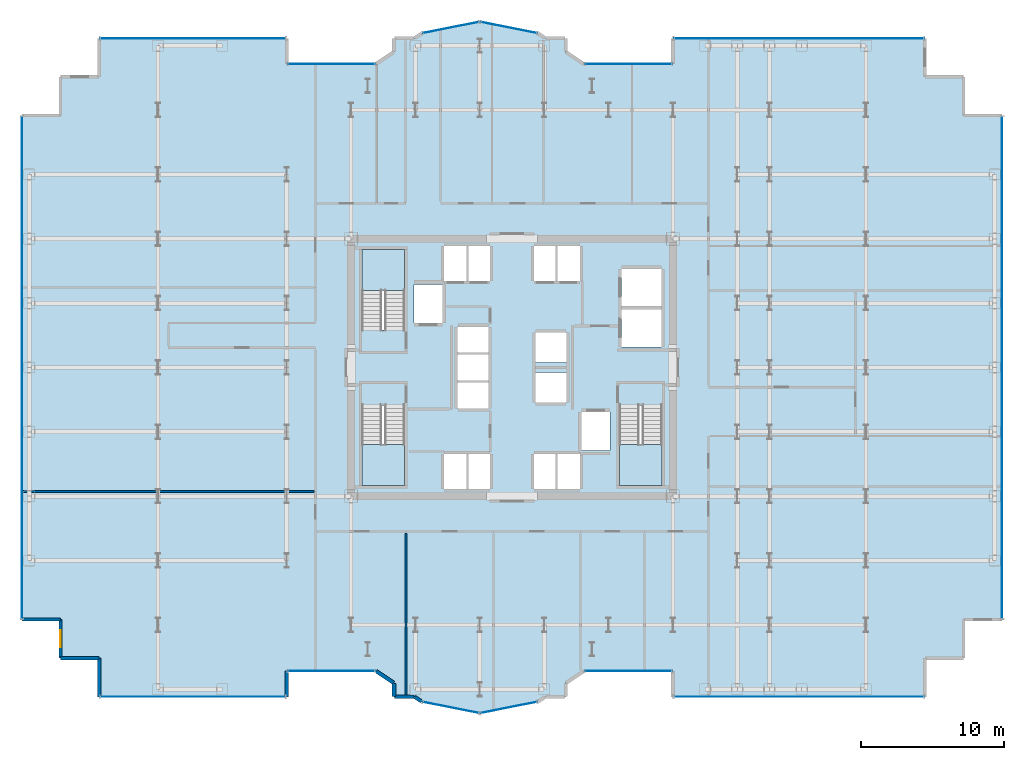
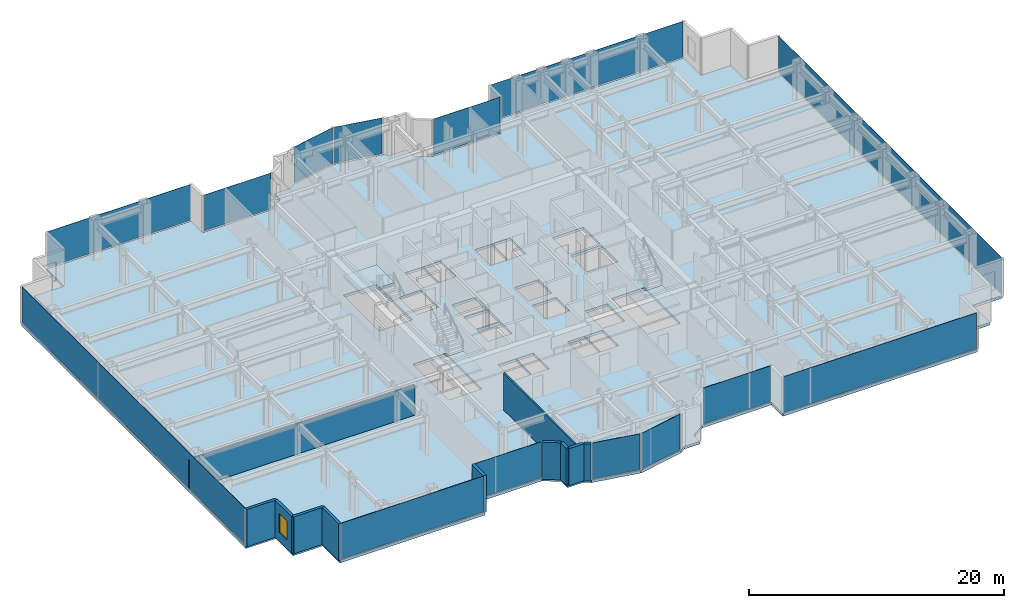
# One storey, part 19 of 26: 14 plates, 11 walls, 4 slabs, 1 window, 1 opening, 17 elements without a shape of their own.
"""IFC4 building model written with IfcOpenShell, lengths in metres."""

from ifc_helpers import new_model, si_unit, direction, frame, frame_2d, origin, origin_2d, place, context, subcontext, project, spatial, polyline, rectangle, outline, extrude, source, transform, mapped, material, layer, layer_set, type_object, element, fill, aggregate, save


model = new_model("IFC4")

# Units and contexts
model_context = context("Model", 3, precision=1e-05, world=origin(), true_north=direction((0.0, 1.0)))
body_context = subcontext(model_context, "Body", "Model", "MODEL_VIEW")
ifc_project = project(units=[si_unit("LENGTHUNIT", "METRE"), si_unit("AREAUNIT", "SQUARE_METRE"), si_unit("VOLUMEUNIT", "CUBIC_METRE"), si_unit("PLANEANGLEUNIT", "RADIAN"), si_unit("MASSUNIT", "GRAM", prefix="KILO")], contexts=[model_context])

# Site, building, storey
site_placement = place(None, origin())
site = spatial("IfcSite", under=ifc_project, at=site_placement, CompositionType="ELEMENT")
building_placement = place(site_placement, origin())
building = spatial("IfcBuilding", under=site, at=building_placement, Name="Nefas-Gora Pilgrimage Tower", CompositionType="ELEMENT")
storey_placement = place(building_placement, frame((0.0, 0.0, 128.800048828125)))
storey = spatial("IfcBuildingStorey", under=building, at=storey_placement, Name="L31", CompositionType="ELEMENT", Elevation=128.800048828125)

# Slab
ifc_material_1 = material(Name="Concrete C40/50", Category="concrete")
ifc_layer_1 = layer(ifc_material_1, 0.25)
ifc_layer_set_1 = layer_set([ifc_layer_1], Name="Concrete C40/50")
slab_type_1 = type_object("IfcSlabType", Name="SLB-TWR-250", PredefinedType="FLOOR", material=ifc_layer_set_1)
slab_1_placement = place(storey_placement, frame((0.0, 0.0, -0.25)))
element("IfcSlab", 1, at=slab_1_placement, inside=storey, type_object=slab_type_1, Name="L31 Structural Floor Slab", PredefinedType="FLOOR", context=body_context, shape_type="SweptSolid", body=[
    extrude(outline(polyline([(5.01806640625, -21.219970703125), (11.25, -21.219970703125), (11.25, -23.02001953125), (28.8701171875, -23.02001953125), (28.8701171875, -20.320068359375), (31.570068359375, -20.320068359375), (31.570068359375, -17.6201171875), (34.27001953125, -17.6201171875), (34.27001953125, 17.6201171875), (31.570068359375, 17.6201171875), (31.570068359375, 20.320068359375), (28.8701171875, 20.320068359375), (28.8701171875, 23.02001953125), (11.25, 23.02001953125), (11.25, 21.219970703125), (5.01806640625, 21.219970703125), (3.75, 22.0673828125), (3.75, 23.02001953125), (2.32421875, 23.02001953125), (1.807373046875, 23.365234375), (-2.25, 24.17236328125), (-6.307373046875, 23.365234375), (-6.82421875, 23.02001953125), (-8.25, 23.02001953125), (-8.25, 22.0673828125), (-9.51806640625, 21.219970703125), (-15.75, 21.219970703125), (-15.75, 23.02001953125), (-28.8701171875, 23.02001953125), (-28.8701171875, 20.320068359375), (-31.570068359375, 20.320068359375), (-31.570068359375, 17.6201171875), (-34.27001953125, 17.6201171875), (-34.27001953125, -17.6201171875), (-31.570068359375, -17.6201171875), (-31.570068359375, -20.320068359375), (-28.8701171875, -20.320068359375), (-28.8701171875, -23.02001953125), (-15.75, -23.02001953125), (-15.75, -21.219970703125), (-9.51806640625, -21.219970703125), (-8.25, -22.0673828125), (-8.25, -23.02001953125), (-6.82421875, -23.02001953125), (-6.307373046875, -23.365234375), (-2.25, -24.17236328125), (1.807373046875, -23.365234375), (2.32421875, -23.02001953125), (3.75, -23.02001953125), (3.75, -22.0673828125), (5.01806640625, -21.219970703125)]), holes=[polyline([(-10.5, 2.639892578125), (-10.5, 8.25), (-7.5, 8.25), (-7.5, 2.639892578125), (-10.5, 2.639892578125)]), polyline([(10.5, -2.639892578125), (10.5, -8.25), (7.5, -8.25), (7.5, -2.639892578125), (10.5, -2.639892578125)]), polyline([(-7.5, -2.639892578125), (-7.5, -8.25), (-10.5, -8.25), (-10.5, -2.639892578125), (-7.5, -2.639892578125)]), polyline([(-6.85009765625, 5.800048828125), (-4.85009765625, 5.800048828125), (-4.85009765625, 3.10009765625), (-6.85009765625, 3.10009765625), (-6.85009765625, 5.800048828125)]), polyline([(4.85009765625, -3.10009765625), (6.85009765625, -3.10009765625), (6.85009765625, -5.800048828125), (4.85009765625, -5.800048828125), (4.85009765625, -3.10009765625)]), polyline([(7.64990234375, 4.050048828125), (10.449951171875, 4.050048828125), (10.449951171875, 1.449951171875), (7.64990234375, 1.449951171875), (7.64990234375, 4.050048828125)]), polyline([(7.64990234375, 6.89990234375), (10.449951171875, 6.89990234375), (10.449951171875, 4.300048828125), (7.64990234375, 4.300048828125), (7.64990234375, 6.89990234375)]), polyline([(-4.75, 8.5), (-3.14990234375, 8.5), (-3.14990234375, 6.050048828125), (-4.75, 6.050048828125), (-4.75, 8.5)]), polyline([(-3.10009765625, 8.5), (-1.550048828125, 8.5), (-1.550048828125, 6.050048828125), (-3.10009765625, 6.050048828125), (-3.10009765625, 8.5)]), polyline([(1.550048828125, 8.5), (3.10009765625, 8.5), (3.10009765625, 6.050048828125), (1.550048828125, 6.050048828125), (1.550048828125, 8.5)]), polyline([(3.14990234375, 8.5), (4.75, 8.5), (4.75, 6.050048828125), (3.14990234375, 6.050048828125), (3.14990234375, 8.5)]), polyline([(-4.75, -6.050048828125), (-3.14990234375, -6.050048828125), (-3.14990234375, -8.5), (-4.75, -8.5), (-4.75, -6.050048828125)]), polyline([(-3.10009765625, -6.050048828125), (-1.550048828125, -6.050048828125), (-1.550048828125, -8.5), (-3.10009765625, -8.5), (-3.10009765625, -6.050048828125)]), polyline([(1.550048828125, -6.050048828125), (3.10009765625, -6.050048828125), (3.10009765625, -8.5), (1.550048828125, -8.5), (1.550048828125, -6.050048828125)]), polyline([(3.14990234375, -6.050048828125), (4.75, -6.050048828125), (4.75, -8.5), (3.14990234375, -8.5), (3.14990234375, -6.050048828125)]), polyline([(-3.800048828125, -1.050048828125), (-1.64990234375, -1.050048828125), (-1.64990234375, -2.85009765625), (-3.800048828125, -2.85009765625), (-3.800048828125, -1.050048828125)]), polyline([(-3.800048828125, 0.89990234375), (-1.64990234375, 0.89990234375), (-1.64990234375, -0.89990234375), (-3.800048828125, -0.89990234375), (-3.800048828125, 0.89990234375)]), polyline([(-3.800048828125, 2.85009765625), (-1.64990234375, 2.85009765625), (-1.64990234375, 1.050048828125), (-3.800048828125, 1.050048828125), (-3.800048828125, 2.85009765625)]), polyline([(1.64990234375, -0.35009765625), (3.800048828125, -0.35009765625), (3.800048828125, -2.449951171875), (1.64990234375, -2.449951171875), (1.64990234375, -0.35009765625)]), polyline([(1.64990234375, 2.449951171875), (3.800048828125, 2.449951171875), (3.800048828125, 0.35009765625), (1.64990234375, 0.35009765625), (1.64990234375, 2.449951171875)])]), origin(), (0.0, 0.0, 1.0), 0.25),
])

# Stair, slab
ifc_material_2 = material(Name="Concrete C45/55", Category="concrete")
stair_type = type_object("IfcStairType", Name="STR-1400-R1727", PredefinedType="HALF_TURN_STAIR", material=ifc_material_2)
stair_1_placement = place(storey_placement, origin())
stair_1 = element("IfcStair", 2, at=stair_1_placement, inside=storey, type_object=stair_type, Name="L31 Pressurised Tower Exit Stair ST-01", PredefinedType="HALF_TURN_STAIR")
ifc_layer_2 = layer(ifc_material_1, 0.199951171875)
ifc_layer_set_2 = layer_set([ifc_layer_2], Name="Concrete C40/50")
slab_type_2 = type_object("IfcSlabType", Name="STR-LAND-200", PredefinedType="LANDING", material=ifc_layer_set_2)
slab_2_placement = place(storey_placement, frame((0.0, 0.0, 1.699951171875)))
slab_2 = element("IfcSlab", 3, at=slab_2_placement, type_object=slab_type_2, Name="ST-01 landing 1", PredefinedType="LANDING", context=body_context, shape_type="SweptSolid", body=[
    extrude(outline(polyline([(-7.5, 5.39990234375), (-7.5, 8.25), (-10.5, 8.25), (-10.5, 5.39990234375), (-7.5, 5.39990234375)])), origin(), (0.0, 0.0, 1.0), 0.199951171875),
])
aggregate(stair_1, [slab_2])

stair_2_placement = place(storey_placement, origin())
stair_2 = element("IfcStair", 4, at=stair_2_placement, inside=storey, type_object=stair_type, Name="L31 Pressurised Tower Exit Stair ST-02", PredefinedType="HALF_TURN_STAIR")
slab_3_placement = place(storey_placement, frame((0.0, 0.0, 1.699951171875)))
slab_3 = element("IfcSlab", 5, at=slab_3_placement, type_object=slab_type_2, Name="ST-02 landing 1", PredefinedType="LANDING", context=body_context, shape_type="SweptSolid", body=[
    extrude(outline(polyline([(7.5, -5.39990234375), (7.5, -8.25), (10.5, -8.25), (10.5, -5.39990234375), (7.5, -5.39990234375)])), origin(), (0.0, 0.0, 1.0), 0.199951171875),
])
aggregate(stair_2, [slab_3])

stair_3_placement = place(storey_placement, origin())
stair_3 = element("IfcStair", 6, at=stair_3_placement, inside=storey, type_object=stair_type, Name="L31 Pressurised Tower Exit Stair ST-03", PredefinedType="HALF_TURN_STAIR")
slab_4_placement = place(storey_placement, frame((0.0, 0.0, 1.699951171875)))
slab_4 = element("IfcSlab", 7, at=slab_4_placement, type_object=slab_type_2, Name="ST-03 landing 1", PredefinedType="LANDING", context=body_context, shape_type="SweptSolid", body=[
    extrude(outline(polyline([(-10.5, -5.39990234375), (-10.5, -8.25), (-7.5, -8.25), (-7.5, -5.39990234375), (-10.5, -5.39990234375)])), origin(), (0.0, 0.0, 1.0), 0.199951171875),
])
aggregate(stair_3, [slab_4])

# Curtain wall, plate
ifc_material_3 = material(Name="Dark ceramic-fritted solar-control aluminium-glass curtain wall", Category="aluminium")
ifc_layer_3 = layer(ifc_material_3, 0.219970703125)
ifc_layer_set_3 = layer_set([ifc_layer_3], Name="Dark ceramic-fritted solar-control aluminium-glass curtain wall")
curtain_wall_type_1 = type_object("IfcCurtainWallType", Name="CW-SYS-5", PredefinedType="NOTDEFINED", material=ifc_layer_set_3)
curtain_wall_1_placement = place(storey_placement, origin())
curtain_wall_1 = element("IfcCurtainWall", 8, at=curtain_wall_1_placement, inside=storey, type_object=curtain_wall_type_1, Name="L31 Unitised Curtain Wall CW5", PredefinedType="NOTDEFINED")
ifc_material_4 = material(Name="Dark ceramic-printed low-e insulated glass", Category="glass")
ifc_layer_4 = layer(ifc_material_4, 0.028076171875)
ifc_layer_set_4 = layer_set([ifc_layer_4], Name="Dark ceramic-printed low-e insulated glass")
plate_type_1 = type_object("IfcPlateType", Name="CWP-PNL-5", PredefinedType="CURTAIN_PANEL", material=ifc_layer_set_4)
shared_shape_1 = source(origin(), body_context, "Body", "SweptSolid", [
    extrude(rectangle(XDim=6.052001953125, YDim=0.028076171875, at=origin_2d()), origin(), (0.0, 0.0, 1.0), 3.43994140625),
])
plate_1_placement = place(storey_placement, frame((8.134033203125, -21.219970703125, 0.10009765625), z_axis=(0.0, 0.0, 1.0), x_axis=(1.0, 0.0, 0.0)))
plate_1 = element("IfcPlate", 9, at=plate_1_placement, type_object=plate_type_1, Name="CW5 Ceramic-Fritted Glazing Panel 1", PredefinedType="CURTAIN_PANEL", context=body_context, shape_type="MappedRepresentation", body=[
    mapped(shared_shape_1, transform((0.0, 0.0, 0.0), x_axis=(1.0, 0.0, 0.0), y_axis=(0.0, 1.0, 0.0), z_axis=(0.0, 0.0, 1.0), scale=1.0)),
])
aggregate(curtain_wall_1, [plate_1])

curtain_wall_2_placement = place(storey_placement, origin())
curtain_wall_2 = element("IfcCurtainWall", 10, at=curtain_wall_2_placement, inside=storey, type_object=curtain_wall_type_1, Name="L31 Unitised Curtain Wall CW5", PredefinedType="NOTDEFINED")
plate_2_placement = place(storey_placement, frame((8.134033203125, 21.219970703125, 0.10009765625), z_axis=(0.0, 0.0, 1.0), x_axis=(-1.0, 0.0, 0.0)))
plate_2 = element("IfcPlate", 11, at=plate_2_placement, type_object=plate_type_1, Name="CW5 Ceramic-Fritted Glazing Panel 1", PredefinedType="CURTAIN_PANEL", context=body_context, shape_type="MappedRepresentation", body=[
    mapped(shared_shape_1, transform((0.0, 0.0, 0.0), x_axis=(1.0, 0.0, 0.0), y_axis=(0.0, 1.0, 0.0), z_axis=(0.0, 0.0, 1.0), scale=1.0)),
])
aggregate(curtain_wall_2, [plate_2])

curtain_wall_3_placement = place(storey_placement, origin())
curtain_wall_3 = element("IfcCurtainWall", 12, at=curtain_wall_3_placement, inside=storey, type_object=curtain_wall_type_1, Name="L31 Unitised Curtain Wall CW5", PredefinedType="NOTDEFINED")
plate_3_placement = place(storey_placement, frame((-12.634033203125, 21.219970703125, 0.10009765625), z_axis=(0.0, 0.0, 1.0), x_axis=(-1.0, 0.0, 0.0)))
plate_3 = element("IfcPlate", 13, at=plate_3_placement, type_object=plate_type_1, Name="CW5 Ceramic-Fritted Glazing Panel 1", PredefinedType="CURTAIN_PANEL", context=body_context, shape_type="MappedRepresentation", body=[
    mapped(shared_shape_1, transform((0.0, 0.0, 0.0), x_axis=(1.0, 0.0, 0.0), y_axis=(0.0, 1.0, 0.0), z_axis=(0.0, 0.0, 1.0), scale=1.0)),
])
aggregate(curtain_wall_3, [plate_3])

curtain_wall_4_placement = place(storey_placement, origin())
curtain_wall_4 = element("IfcCurtainWall", 14, at=curtain_wall_4_placement, inside=storey, type_object=curtain_wall_type_1, Name="L31 Unitised Curtain Wall CW5", PredefinedType="NOTDEFINED")
plate_4_placement = place(storey_placement, frame((-12.634033203125, -21.219970703125, 0.10009765625), z_axis=(0.0, 0.0, 1.0), x_axis=(1.0, 0.0, 0.0)))
plate_4 = element("IfcPlate", 15, at=plate_4_placement, type_object=plate_type_1, Name="CW5 Ceramic-Fritted Glazing Panel 1", PredefinedType="CURTAIN_PANEL", context=body_context, shape_type="MappedRepresentation", body=[
    mapped(shared_shape_1, transform((0.0, 0.0, 0.0), x_axis=(1.0, 0.0, 0.0), y_axis=(0.0, 1.0, 0.0), z_axis=(0.0, 0.0, 1.0), scale=1.0)),
])
aggregate(curtain_wall_4, [plate_4])

ifc_layer_5 = layer(ifc_material_3, 0.219970703125)
ifc_layer_set_5 = layer_set([ifc_layer_5], Name="Dark ceramic-fritted solar-control aluminium-glass curtain wall")
curtain_wall_type_2 = type_object("IfcCurtainWallType", Name="CW-SYS-2", PredefinedType="NOTDEFINED", material=ifc_layer_set_5)
curtain_wall_5_placement = place(storey_placement, origin())
curtain_wall_5 = element("IfcCurtainWall", 16, at=curtain_wall_5_placement, inside=storey, type_object=curtain_wall_type_2, Name="L31 Unitised Curtain Wall CW2", PredefinedType="NOTDEFINED")
ifc_layer_6 = layer(ifc_material_4, 0.031982421875)
ifc_layer_set_6 = layer_set([ifc_layer_6], Name="Dark ceramic-printed low-e insulated glass")
plate_type_2 = type_object("IfcPlateType", Name="CWP-PNL-2", PredefinedType="CURTAIN_PANEL", material=ifc_layer_set_6)
shared_shape_2 = source(origin(), body_context, "Body", "SweptSolid", [
    extrude(rectangle(XDim=17.43994140625, YDim=0.031982421875, at=origin_2d()), origin(), (0.0, 0.0, 1.0), 3.43994140625),
])
plate_5_placement = place(storey_placement, frame((20.06005859375, -23.02001953125, 0.10009765625), z_axis=(0.0, 0.0, 1.0), x_axis=(1.0, 0.0, 0.0)))
plate_5 = element("IfcPlate", 17, at=plate_5_placement, type_object=plate_type_2, Name="CW2 Ceramic-Fritted Glazing Panel 1", PredefinedType="CURTAIN_PANEL", context=body_context, shape_type="MappedRepresentation", body=[
    mapped(shared_shape_2, transform((0.0, 0.0, 0.0), x_axis=(1.0, 0.0, 0.0), y_axis=(0.0, 1.0, 0.0), z_axis=(0.0, 0.0, 1.0), scale=1.0)),
])
aggregate(curtain_wall_5, [plate_5])

curtain_wall_6_placement = place(storey_placement, origin())
curtain_wall_6 = element("IfcCurtainWall", 18, at=curtain_wall_6_placement, inside=storey, type_object=curtain_wall_type_2, Name="L31 Unitised Curtain Wall CW2", PredefinedType="NOTDEFINED")
plate_6_placement = place(storey_placement, frame((20.06005859375, 23.02001953125, 0.10009765625), z_axis=(0.0, 0.0, 1.0), x_axis=(-1.0, 0.0, 0.0)))
plate_6 = element("IfcPlate", 19, at=plate_6_placement, type_object=plate_type_2, Name="CW2 Ceramic-Fritted Glazing Panel 1", PredefinedType="CURTAIN_PANEL", context=body_context, shape_type="MappedRepresentation", body=[
    mapped(shared_shape_2, transform((0.0, 0.0, 0.0), x_axis=(1.0, 0.0, 0.0), y_axis=(0.0, 1.0, 0.0), z_axis=(0.0, 0.0, 1.0), scale=1.0)),
])
aggregate(curtain_wall_6, [plate_6])

curtain_wall_7_placement = place(storey_placement, origin())
curtain_wall_7 = element("IfcCurtainWall", 20, at=curtain_wall_7_placement, inside=storey, type_object=curtain_wall_type_1, Name="L31 Unitised Curtain Wall CW5", PredefinedType="NOTDEFINED")
shared_shape_3 = source(origin(), body_context, "Body", "SweptSolid", [
    extrude(rectangle(XDim=3.956787109375, YDim=0.028076171875, at=origin_2d()), origin(), (0.0, 0.0, 1.0), 3.43994140625),
])
plate_7_placement = place(storey_placement, frame((-0.22119140625, 23.768798828125, 0.10009765625), z_axis=(0.0, 0.0, 1.0), x_axis=(-0.980782896852, 0.195102304554, 0.0)))
plate_7 = element("IfcPlate", 21, at=plate_7_placement, type_object=plate_type_1, Name="CW5 Ceramic-Fritted Glazing Panel 1", PredefinedType="CURTAIN_PANEL", context=body_context, shape_type="MappedRepresentation", body=[
    mapped(shared_shape_3, transform((0.0, 0.0, 0.0), x_axis=(1.0, 0.0, 0.0), y_axis=(0.0, 1.0, 0.0), z_axis=(0.0, 0.0, 1.0), scale=1.0)),
])
aggregate(curtain_wall_7, [plate_7])

curtain_wall_8_placement = place(storey_placement, origin())
curtain_wall_8 = element("IfcCurtainWall", 22, at=curtain_wall_8_placement, inside=storey, type_object=curtain_wall_type_1, Name="L31 Unitised Curtain Wall CW5", PredefinedType="NOTDEFINED")
plate_8_placement = place(storey_placement, frame((-4.278564453125, 23.768798828125, 0.10009765625), z_axis=(0.0, 0.0, 1.0), x_axis=(-0.980782896852, -0.195102304554, 0.0)))
plate_8 = element("IfcPlate", 23, at=plate_8_placement, type_object=plate_type_1, Name="CW5 Ceramic-Fritted Glazing Panel 1", PredefinedType="CURTAIN_PANEL", context=body_context, shape_type="MappedRepresentation", body=[
    mapped(shared_shape_3, transform((0.0, 0.0, 0.0), x_axis=(1.0, 0.0, 0.0), y_axis=(0.0, 1.0, 0.0), z_axis=(0.0, 0.0, 1.0), scale=1.0)),
])
aggregate(curtain_wall_8, [plate_8])

curtain_wall_9_placement = place(storey_placement, origin())
curtain_wall_9 = element("IfcCurtainWall", 24, at=curtain_wall_9_placement, inside=storey, type_object=curtain_wall_type_1, Name="L31 Unitised Curtain Wall CW5", PredefinedType="NOTDEFINED")
plate_9_placement = place(storey_placement, frame((-4.278564453125, -23.768798828125, 0.10009765625), z_axis=(0.0, 0.0, 1.0), x_axis=(0.980782896852, -0.195102304554, 0.0)))
plate_9 = element("IfcPlate", 25, at=plate_9_placement, type_object=plate_type_1, Name="CW5 Ceramic-Fritted Glazing Panel 1", PredefinedType="CURTAIN_PANEL", context=body_context, shape_type="MappedRepresentation", body=[
    mapped(shared_shape_3, transform((0.0, 0.0, 0.0), x_axis=(1.0, 0.0, 0.0), y_axis=(0.0, 1.0, 0.0), z_axis=(0.0, 0.0, 1.0), scale=1.0)),
])
aggregate(curtain_wall_9, [plate_9])

curtain_wall_10_placement = place(storey_placement, origin())
curtain_wall_10 = element("IfcCurtainWall", 26, at=curtain_wall_10_placement, inside=storey, type_object=curtain_wall_type_1, Name="L31 Unitised Curtain Wall CW5", PredefinedType="NOTDEFINED")
plate_10_placement = place(storey_placement, frame((-0.221435546875, -23.768798828125, 0.10009765625), z_axis=(0.0, 0.0, 1.0), x_axis=(0.980782896852, 0.195102304554, 0.0)))
plate_10 = element("IfcPlate", 27, at=plate_10_placement, type_object=plate_type_1, Name="CW5 Ceramic-Fritted Glazing Panel 1", PredefinedType="CURTAIN_PANEL", context=body_context, shape_type="MappedRepresentation", body=[
    mapped(shared_shape_3, transform((0.0, 0.0, 0.0), x_axis=(1.0, 0.0, 0.0), y_axis=(0.0, 1.0, 0.0), z_axis=(0.0, 0.0, 1.0), scale=1.0)),
])
aggregate(curtain_wall_10, [plate_10])

curtain_wall_11_placement = place(storey_placement, origin())
curtain_wall_11 = element("IfcCurtainWall", 28, at=curtain_wall_11_placement, inside=storey, type_object=curtain_wall_type_2, Name="L31 Unitised Curtain Wall CW2", PredefinedType="NOTDEFINED")
shared_shape_4 = source(origin(), body_context, "Body", "SweptSolid", [
    extrude(rectangle(XDim=12.93994140625, YDim=0.031982421875, at=origin_2d()), origin(), (0.0, 0.0, 1.0), 3.43994140625),
])
plate_11_placement = place(storey_placement, frame((-22.31005859375, 23.02001953125, 0.10009765625), z_axis=(0.0, 0.0, 1.0), x_axis=(-1.0, 0.0, 0.0)))
plate_11 = element("IfcPlate", 29, at=plate_11_placement, type_object=plate_type_2, Name="CW2 Ceramic-Fritted Glazing Panel 1", PredefinedType="CURTAIN_PANEL", context=body_context, shape_type="MappedRepresentation", body=[
    mapped(shared_shape_4, transform((0.0, 0.0, 0.0), x_axis=(1.0, 0.0, 0.0), y_axis=(0.0, 1.0, 0.0), z_axis=(0.0, 0.0, 1.0), scale=1.0)),
])
aggregate(curtain_wall_11, [plate_11])

curtain_wall_12_placement = place(storey_placement, origin())
curtain_wall_12 = element("IfcCurtainWall", 30, at=curtain_wall_12_placement, inside=storey, type_object=curtain_wall_type_2, Name="L31 Unitised Curtain Wall CW2", PredefinedType="NOTDEFINED")
plate_12_placement = place(storey_placement, frame((-22.31005859375, -23.02001953125, 0.10009765625), z_axis=(0.0, 0.0, 1.0), x_axis=(1.0, 0.0, 0.0)))
plate_12 = element("IfcPlate", 31, at=plate_12_placement, type_object=plate_type_2, Name="CW2 Ceramic-Fritted Glazing Panel 1", PredefinedType="CURTAIN_PANEL", context=body_context, shape_type="MappedRepresentation", body=[
    mapped(shared_shape_4, transform((0.0, 0.0, 0.0), x_axis=(1.0, 0.0, 0.0), y_axis=(0.0, 1.0, 0.0), z_axis=(0.0, 0.0, 1.0), scale=1.0)),
])
aggregate(curtain_wall_12, [plate_12])

curtain_wall_13_placement = place(storey_placement, origin())
curtain_wall_13 = element("IfcCurtainWall", 32, at=curtain_wall_13_placement, inside=storey, type_object=curtain_wall_type_2, Name="L31 Unitised Curtain Wall CW2", PredefinedType="NOTDEFINED")
shared_shape_5 = source(origin(), body_context, "Body", "SweptSolid", [
    extrude(rectangle(XDim=35.06005859375, YDim=0.031982421875, at=origin_2d()), origin(), (0.0, 0.0, 1.0), 3.43994140625),
])
plate_13_placement = place(storey_placement, frame((34.27001953125, 0.0, 0.10009765625), z_axis=(0.0, 0.0, 1.0), x_axis=(0.0, 1.0, 0.0)))
plate_13 = element("IfcPlate", 33, at=plate_13_placement, type_object=plate_type_2, Name="CW2 Ceramic-Fritted Glazing Panel 1", PredefinedType="CURTAIN_PANEL", context=body_context, shape_type="MappedRepresentation", body=[
    mapped(shared_shape_5, transform((0.0, 0.0, 0.0), x_axis=(1.0, 0.0, 0.0), y_axis=(0.0, 1.0, 0.0), z_axis=(0.0, 0.0, 1.0), scale=1.0)),
])
aggregate(curtain_wall_13, [plate_13])

curtain_wall_14_placement = place(storey_placement, origin())
curtain_wall_14 = element("IfcCurtainWall", 34, at=curtain_wall_14_placement, inside=storey, type_object=curtain_wall_type_2, Name="L31 Unitised Curtain Wall CW2", PredefinedType="NOTDEFINED")
plate_14_placement = place(storey_placement, frame((-34.27001953125, 0.0, 0.10009765625), z_axis=(0.0, 0.0, 1.0), x_axis=(0.0, -1.0, 0.0)))
plate_14 = element("IfcPlate", 35, at=plate_14_placement, type_object=plate_type_2, Name="CW2 Ceramic-Fritted Glazing Panel 1", PredefinedType="CURTAIN_PANEL", context=body_context, shape_type="MappedRepresentation", body=[
    mapped(shared_shape_5, transform((0.0, 0.0, 0.0), x_axis=(1.0, 0.0, 0.0), y_axis=(0.0, 1.0, 0.0), z_axis=(0.0, 0.0, 1.0), scale=1.0)),
])
aggregate(curtain_wall_14, [plate_14])

# Walls
ifc_material_5 = material(Name="Precast concrete C40/50", Category="concrete")
ifc_layer_7 = layer(ifc_material_5, 0.260009765625)
ifc_layer_set_7 = layer_set([ifc_layer_7], Name="Precast concrete C40/50")
wall_type_1 = type_object("IfcWallType", Name="EW-PORTAL-260", PredefinedType="SOLIDWALL", material=ifc_layer_set_7)
shared_shape_6 = source(origin(), body_context, "Body", "SweptSolid", [
    extrude(rectangle(XDim=1.800048828125, YDim=0.260009765625, at=frame_2d((0.89990234375, 0.0))), origin(), (0.0, 0.0, 1.0), 3.550048828125),
])
wall_1_placement = place(storey_placement, frame((-15.75, -23.02001953125, 0.0), z_axis=(0.0, 0.0, 1.0), x_axis=(0.0, 1.0, 0.0)))
element("IfcWall", 36, at=wall_1_placement, inside=storey, type_object=wall_type_1, Name="L31 Lobe Shoulder Precast Spandrel Pier 28", PredefinedType="SOLIDWALL", context=body_context, shape_type="MappedRepresentation", body=[
    mapped(shared_shape_6, transform((0.0, 0.0, 0.0), x_axis=(1.0, 0.0, 0.0), y_axis=(0.0, 1.0, 0.0), z_axis=(0.0, 0.0, 1.0), scale=1.0)),
])
ifc_material_6 = material(Name="Precast concrete C45/55", Category="concrete")
ifc_layer_8 = layer(ifc_material_6, 0.239990234375)
ifc_layer_set_8 = layer_set([ifc_layer_8], Name="Precast concrete C45/55")
wall_type_2 = type_object("IfcWallType", Name="EW-SERR-240", PredefinedType="SHEAR", material=ifc_layer_set_8)
shared_shape_7 = source(origin(), body_context, "Body", "SweptSolid", [
    extrude(rectangle(XDim=2.699951171875, YDim=0.239990234375, at=frame_2d((1.35009765625, 0.0))), origin(), (0.0, 0.0, 1.0), 3.550048828125),
])
wall_2_placement = place(storey_placement, frame((-34.27001953125, -17.6201171875, 0.0), z_axis=(0.0, 0.0, 1.0), x_axis=(1.0, 0.0, 0.0)))
element("IfcWall", 37, at=wall_2_placement, inside=storey, type_object=wall_type_2, Name="L31 Serrated Corner Shear Pier Wall 24", PredefinedType="SHEAR", context=body_context, shape_type="MappedRepresentation", body=[
    mapped(shared_shape_7, transform((0.0, 0.0, 0.0), x_axis=(1.0, 0.0, 0.0), y_axis=(0.0, 1.0, 0.0), z_axis=(0.0, 0.0, 1.0), scale=1.0)),
])

# Wall, opening, window
wall_3_placement = place(storey_placement, frame((-31.570068359375, -17.6201171875, 0.0), z_axis=(0.0, 0.0, 1.0), x_axis=(0.0, -1.0, 0.0)))
wall_3 = element("IfcWall", 38, at=wall_3_placement, inside=storey, type_object=wall_type_2, Name="L31 Serrated Corner Shear Pier Wall 25", PredefinedType="SHEAR", context=body_context, shape_type="MappedRepresentation", body=[
    mapped(shared_shape_7, transform((0.0, 0.0, 0.0), x_axis=(1.0, 0.0, 0.0), y_axis=(0.0, 1.0, 0.0), z_axis=(0.0, 0.0, 1.0), scale=1.0)),
])
opening_placement = place(wall_3_placement, frame((0.75, 0.0, 0.85009765625)))
opening = element("IfcOpeningElement", 39, at=opening_placement, cuts=wall_3, Name="Opening W-V1", PredefinedType="OPENING", context=body_context, shape_type="SweptSolid", body=[
    extrude(rectangle(XDim=1.199951171875, YDim=1.800048828125, at=frame_2d((0.60009765625, 0.89990234375))), frame((0.0, 0.1298828125, 0.0), z_axis=(0.0, -1.0, 0.0), x_axis=(1.0, 0.0, 0.0)), (0.0, 0.0, 1.0), 0.260009765625),
])
ifc_material_7 = material(Name="Dark ceramic-fritted operable aluminium-glass window", Category="aluminium")
window_type = type_object("IfcWindowType", Name="WIN-VENT-1200x1800", PartitioningType="SINGLE_PANEL", PredefinedType="WINDOW", material=ifc_material_7)
shared_shape_8 = source(origin(), body_context, "Body", "SweptSolid", [
    extrude(rectangle(XDim=1.199951171875, YDim=1.800048828125, at=frame_2d((0.60009765625, 0.89990234375))), frame((0.0, 0.030029296875, 0.0), z_axis=(0.0, -1.0, 0.0), x_axis=(1.0, 0.0, 0.0)), (0.0, 0.0, 1.0), 0.06005859375),
])
window_placement = place(opening_placement, origin())
window = element("IfcWindow", 40, at=window_placement, inside=storey, type_object=window_type, Name="L31 Operable Parallel-Outswing Window 25", OverallHeight=1.800048828125, OverallWidth=1.199951171875, PartitioningType="SINGLE_PANEL", PredefinedType="WINDOW", context=body_context, shape_type="MappedRepresentation", body=[
    mapped(shared_shape_8, transform((0.0, 0.0, 0.0), x_axis=(1.0, 0.0, 0.0), y_axis=(0.0, 1.0, 0.0), z_axis=(0.0, 0.0, 1.0), scale=1.0)),
])
fill(opening, window)

# Walls
for number, where, z_axis, x_axis, name in (
    (41, (-31.570068359375, -20.320068359375, 0.0), (0.0, 0.0, 1.0), (1.0, 0.0, 0.0), "L31 Serrated Corner Shear Pier Wall 26"),
    (42, (-28.8701171875, -20.320068359375, 0.0), (0.0, 0.0, 1.0), (0.0, -1.0, 0.0), "L31 Serrated Corner Shear Pier Wall 27"),
):
    element("IfcWall", number, at=place(storey_placement, frame(where, z_axis=z_axis, x_axis=x_axis)), inside=storey, type_object=wall_type_2, Name=name, PredefinedType="SHEAR", context=body_context, shape_type="MappedRepresentation", body=[
        mapped(shared_shape_7, transform((0.0, 0.0, 0.0), x_axis=(1.0, 0.0, 0.0), y_axis=(0.0, 1.0, 0.0), z_axis=(0.0, 0.0, 1.0), scale=1.0)),
    ])
shared_shape_9 = source(origin(), body_context, "Body", "SweptSolid", [
    extrude(rectangle(XDim=1.468994140625, YDim=0.260009765625, at=frame_2d((0.734375, 0.0))), origin(), (0.0, 0.0, 1.0), 3.550048828125),
])
wall_4_placement = place(storey_placement, frame((-9.49462890625, -21.235595703125, 0.0), z_axis=(0.0, 0.0, 1.0), x_axis=(0.831461760506, -0.555581983884, 0.0)))
element("IfcWall", 43, at=wall_4_placement, inside=storey, type_object=wall_type_1, Name="L31 Lobe Shoulder Precast Spandrel Pier 29", PredefinedType="SOLIDWALL", context=body_context, shape_type="MappedRepresentation", body=[
    mapped(shared_shape_9, transform((0.0, 0.0, 0.0), x_axis=(1.0, 0.0, 0.0), y_axis=(0.0, 1.0, 0.0), z_axis=(0.0, 0.0, 1.0), scale=1.0)),
])
shared_shape_10 = source(origin(), body_context, "Body", "SweptSolid", [
    extrude(rectangle(XDim=0.896728515625, YDim=0.260009765625, at=frame_2d((0.4482421875, 0.0))), origin(), (0.0, 0.0, 1.0), 3.550048828125),
])
wall_5_placement = place(storey_placement, frame((-8.25, -22.09521484375, 0.0), z_axis=(0.0, 0.0, 1.0), x_axis=(0.0, -1.0, 0.0)))
element("IfcWall", 44, at=wall_5_placement, inside=storey, type_object=wall_type_1, Name="L31 Lobe Shoulder Precast Spandrel Pier 30", PredefinedType="SOLIDWALL", context=body_context, shape_type="MappedRepresentation", body=[
    mapped(shared_shape_10, transform((0.0, 0.0, 0.0), x_axis=(1.0, 0.0, 0.0), y_axis=(0.0, 1.0, 0.0), z_axis=(0.0, 0.0, 1.0), scale=1.0)),
])
shared_shape_11 = source(origin(), body_context, "Body", "SweptSolid", [
    extrude(rectangle(XDim=1.369873046875, YDim=0.260009765625, at=frame_2d((0.68505859375, 0.0))), origin(), (0.0, 0.0, 1.0), 3.550048828125),
])
wall_6_placement = place(storey_placement, frame((-8.221923828125, -23.02001953125, 0.0), z_axis=(0.0, 0.0, 1.0), x_axis=(1.0, 0.0, 0.0)))
element("IfcWall", 45, at=wall_6_placement, inside=storey, type_object=wall_type_1, Name="L31 Lobe Shoulder Precast Spandrel Pier 31", PredefinedType="SOLIDWALL", context=body_context, shape_type="MappedRepresentation", body=[
    mapped(shared_shape_11, transform((0.0, 0.0, 0.0), x_axis=(1.0, 0.0, 0.0), y_axis=(0.0, 1.0, 0.0), z_axis=(0.0, 0.0, 1.0), scale=1.0)),
])
shared_shape_12 = source(origin(), body_context, "Body", "SweptSolid", [
    extrude(rectangle(XDim=0.5654296875, YDim=0.260009765625, at=frame_2d((0.28271484375, 0.0))), origin(), (0.0, 0.0, 1.0), 3.550048828125),
])
wall_7_placement = place(storey_placement, frame((-6.80078125, -23.03564453125, 0.0), z_axis=(0.0, 0.0, 1.0), x_axis=(0.831651492666, -0.555297933317, 0.0)))
element("IfcWall", 46, at=wall_7_placement, inside=storey, type_object=wall_type_1, Name="L31 Lobe Shoulder Precast Spandrel Pier 32", PredefinedType="SOLIDWALL", context=body_context, shape_type="MappedRepresentation", body=[
    mapped(shared_shape_12, transform((0.0, 0.0, 0.0), x_axis=(1.0, 0.0, 0.0), y_axis=(0.0, 1.0, 0.0), z_axis=(0.0, 0.0, 1.0), scale=1.0)),
])
ifc_material_8 = material(Name="Gypsum twin-stud partition")
ifc_layer_9 = layer(ifc_material_8, 0.139892578125)
ifc_layer_set_9 = layer_set([ifc_layer_9], Name="Gypsum twin-stud partition")
wall_type_3 = type_object("IfcWallType", Name="IW-UNIT-140", PredefinedType="PARTITIONING", material=ifc_layer_set_9)
shared_shape_13 = source(origin(), body_context, "Body", "SweptSolid", [
    extrude(rectangle(XDim=11.260009765625, YDim=0.139892578125, at=frame_2d((5.6298828125, 0.0))), origin(), (0.0, 0.0, 1.0), 3.534912109375),
])
wall_8_placement = place(storey_placement, frame((-7.405029296875, -22.85009765625, 0.0), z_axis=(0.0, 0.0, 1.0), x_axis=(0.0, 1.0, 0.0)))
element("IfcWall", 47, at=wall_8_placement, inside=storey, type_object=wall_type_3, Name="L31 Pilgrim Contemplative Lounge Partition Wall 53", PredefinedType="PARTITIONING", context=body_context, shape_type="MappedRepresentation", body=[
    mapped(shared_shape_13, transform((0.0, 0.0, 0.0), x_axis=(1.0, 0.0, 0.0), y_axis=(0.0, 1.0, 0.0), z_axis=(0.0, 0.0, 1.0), scale=1.0)),
])
shared_shape_14 = source(origin(), body_context, "Body", "SweptSolid", [
    extrude(rectangle(XDim=20.43994140625, YDim=0.139892578125, at=frame_2d((10.219970703125, 0.0))), origin(), (0.0, 0.0, 1.0), 2.875),
])
wall_9_placement = place(storey_placement, frame((-34.2900390625, -8.677490234375, 0.0), z_axis=(0.0, 0.0, 1.0), x_axis=(1.0, 0.0, 0.0)))
element("IfcWall", 48, at=wall_9_placement, inside=storey, type_object=wall_type_3, Name="L31 Pilgrim Floor Concierge Foyer Partition Wall 28", PredefinedType="PARTITIONING", context=body_context, shape_type="MappedRepresentation", body=[
    mapped(shared_shape_14, transform((0.0, 0.0, 0.0), x_axis=(1.0, 0.0, 0.0), y_axis=(0.0, 1.0, 0.0), z_axis=(0.0, 0.0, 1.0), scale=1.0)),
])

save(model, "model.ifc")
